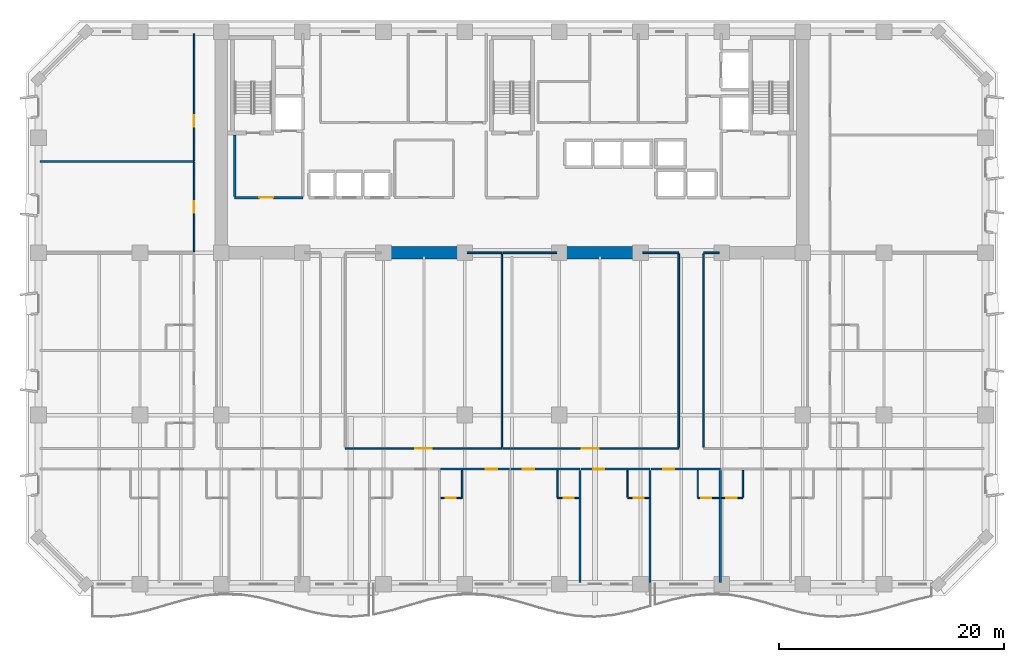
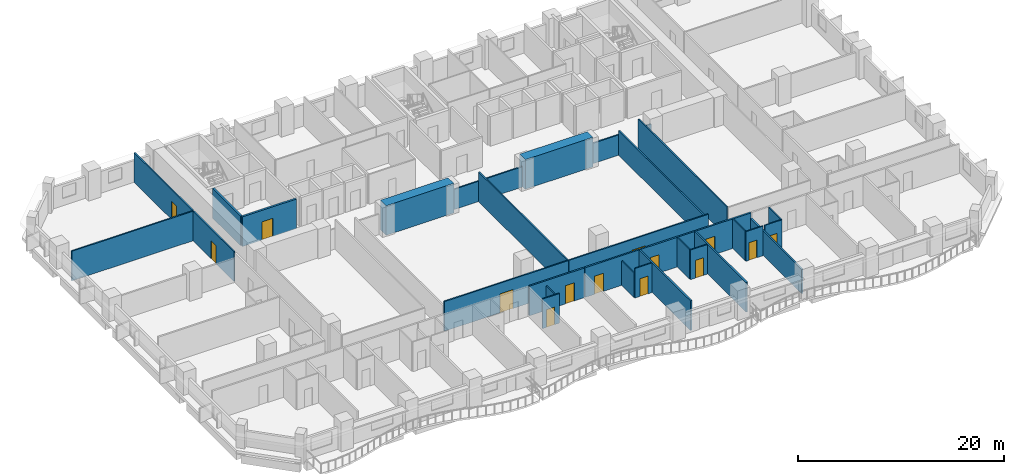
# One storey, part 6 of 15: 33 walls, 14 doors, 14 openings.
"""IFC4 building model written with IfcOpenShell, lengths in metres."""

from ifc_helpers import new_model, si_unit, direction, frame, frame_2d, origin, place, context, subcontext, project, spatial, rectangle, extrude, material, layer, layer_set, type_object, element, fill, save


model = new_model("IFC4")

# Units and contexts
model_context = context("Model", 3, precision=1e-05, world=origin(), true_north=direction((0.0, 1.0)))
body_context = subcontext(model_context, "Body", "Model", "MODEL_VIEW")
ifc_project = project(units=[si_unit("LENGTHUNIT", "METRE"), si_unit("AREAUNIT", "SQUARE_METRE"), si_unit("VOLUMEUNIT", "CUBIC_METRE"), si_unit("PLANEANGLEUNIT", "RADIAN"), si_unit("MASSUNIT", "GRAM", prefix="KILO")], contexts=[model_context])

# Site, building, storey
site_placement = place(None, origin())
site = spatial("IfcSite", under=ifc_project, at=site_placement, CompositionType="ELEMENT")
building_placement = place(site_placement, origin())
building = spatial("IfcBuilding", under=site, at=building_placement, Name="Kaelvorn Grand Hotel", CompositionType="ELEMENT")
storey_placement = place(building_placement, frame((0.0, 0.0, 38.89990234375)))
storey = spatial("IfcBuildingStorey", under=building, at=storey_placement, Name="L07", CompositionType="ELEMENT", Elevation=38.89990234375)

# Walls
ifc_material_1 = material(Name="Concrete C80/95", Category="concrete")
ifc_layer_1 = layer(ifc_material_1, 1.10009765625)
ifc_layer_set_1 = layer_set([ifc_layer_1], Name="Concrete C80/95")
wall_type_1 = type_object("IfcWallType", Name="WL-CORE-1100-C80", PredefinedType="SHEAR", material=ifc_layer_set_1)
for number, where, z_axis, x_axis, name in (
    (1, (30.39990234375, 29.39990234375, 0.0), (0.0, 0.0, 1.0), (1.0, 0.0, 0.0), "L07 Rear-Core Coupled Shear Pier S2"),
    (2, (46.0, 29.39990234375, 0.0), (0.0, 0.0, 1.0), (1.0, 0.0, 0.0), "L07 Rear-Core Coupled Shear Pier S3"),
):
    element("IfcWall", number, at=place(storey_placement, frame(where, z_axis=z_axis, x_axis=x_axis)), inside=storey, type_object=wall_type_1, Name=name, PredefinedType="SHEAR", context=body_context, shape_type="SweptSolid", body=[
        extrude(rectangle(XDim=7.60009765625, YDim=1.10009765625, at=frame_2d((3.800048828125, 0.0))), origin(), (0.0, 0.0, 1.0), 3.510009765625),
    ])

# Wall, opening, door
ifc_material_2 = material(Name="Moisture-Resistant Tile & Stud Board")
ifc_layer_2 = layer(ifc_material_2, 0.125)
ifc_layer_set_2 = layer_set([ifc_layer_2], Name="Moisture-Resistant Tile & Stud Board")
wall_type_2 = type_object("IfcWallType", Name="WL-PART-125-WET", PredefinedType="PARTITIONING", material=ifc_layer_set_2)
wall_1_placement = place(storey_placement, frame((35.669189453125, 7.64990234375, 0.0), z_axis=(0.0, 0.0, 1.0), x_axis=(1.0, 0.0, 0.0)))
wall_1 = element("IfcWall", 3, at=wall_1_placement, inside=storey, type_object=wall_type_2, Name="L07 En-suite Bathroom L07-06 S Partition", PredefinedType="PARTITIONING", context=body_context, shape_type="SweptSolid", body=[
    extrude(rectangle(XDim=1.905029296875, YDim=0.125, at=frame_2d((0.95263671875, 0.0))), origin(), (0.0, 0.0, 1.0), 3.510009765625),
])
opening_1_placement = place(wall_1_placement, frame((0.455078125, 0.0, 0.0)))
opening_1 = element("IfcOpeningElement", 4, at=opening_1_placement, cuts=wall_1, Name="Opening DI4", PredefinedType="OPENING", context=body_context, shape_type="SweptSolid", body=[
    extrude(rectangle(XDim=0.89990234375, YDim=2.10009765625, at=frame_2d((0.449951171875, 1.050048828125))), frame((0.0, 0.072509765625, 0.0), z_axis=(0.0, -1.0, 0.0), x_axis=(1.0, 0.0, 0.0)), (0.0, 0.0, 1.0), 0.14501953125),
])
ifc_material_3 = material(Name="Timber Veneer Leaf", Category="wood")
door_type_1 = type_object("IfcDoorType", Name="DR-INT-BATH-900x2100", OperationType="NOTDEFINED", PredefinedType="DOOR", material=ifc_material_3)
door_1_placement = place(opening_1_placement, origin())
door_1 = element("IfcDoor", 5, at=door_1_placement, inside=storey, type_object=door_type_1, Name="L07 En-suite Bathroom L07-06 Door", OperationType="SINGLE_SWING_RIGHT", OverallHeight=2.10009765625, OverallWidth=0.89990234375, PredefinedType="DOOR", context=body_context, shape_type="SweptSolid", body=[
    extrude(rectangle(XDim=0.89990234375, YDim=2.10009765625, at=frame_2d((0.449951171875, 1.050048828125))), frame((0.0, 0.02490234375, 0.0), z_axis=(0.0, -1.0, 0.0), x_axis=(1.0, 0.0, 0.0)), (0.0, 0.0, 1.0), 0.050048828125),
])
fill(opening_1, door_1)

# Wall
wall_2_placement = place(storey_placement, frame((37.57421875, 7.717529296875, 0.0), z_axis=(0.0, 0.0, 1.0), x_axis=(0.0, 1.0, 0.0)))
element("IfcWall", 6, at=wall_2_placement, inside=storey, type_object=wall_type_2, Name="L07 En-suite Bathroom L07-06 E Partition", PredefinedType="PARTITIONING", context=body_context, shape_type="SweptSolid", body=[
    extrude(rectangle(XDim=2.387451171875, YDim=0.125, at=frame_2d((1.19384765625, 0.0))), origin(), (0.0, 0.0, 1.0), 2.89794921875),
])

# Wall, opening, door
wall_3_placement = place(storey_placement, frame((46.024169921875, 7.64990234375, 0.0), z_axis=(0.0, 0.0, 1.0), x_axis=(1.0, 0.0, 0.0)))
wall_3 = element("IfcWall", 7, at=wall_3_placement, inside=storey, type_object=wall_type_2, Name="L07 En-suite Bathroom L07-07 S Partition", PredefinedType="PARTITIONING", context=body_context, shape_type="SweptSolid", body=[
    extrude(rectangle(XDim=1.905029296875, YDim=0.125, at=frame_2d((0.95263671875, 0.0))), origin(), (0.0, 0.0, 1.0), 3.510009765625),
])
opening_2_placement = place(wall_3_placement, frame((0.550048828125, 0.0, 0.0)))
opening_2 = element("IfcOpeningElement", 8, at=opening_2_placement, cuts=wall_3, Name="Opening DI4", PredefinedType="OPENING", context=body_context, shape_type="SweptSolid", body=[
    extrude(rectangle(XDim=0.89990234375, YDim=2.10009765625, at=frame_2d((0.449951171875, 1.050048828125))), frame((0.0, 0.072509765625, 0.0), z_axis=(0.0, -1.0, 0.0), x_axis=(1.0, 0.0, 0.0)), (0.0, 0.0, 1.0), 0.14501953125),
])
door_2_placement = place(opening_2_placement, origin())
door_2 = element("IfcDoor", 9, at=door_2_placement, inside=storey, type_object=door_type_1, Name="L07 En-suite Bathroom L07-07 Door", OperationType="SINGLE_SWING_RIGHT", OverallHeight=2.10009765625, OverallWidth=0.89990234375, PredefinedType="DOOR", context=body_context, shape_type="SweptSolid", body=[
    extrude(rectangle(XDim=0.89990234375, YDim=2.10009765625, at=frame_2d((0.449951171875, 1.050048828125))), frame((0.0, 0.02490234375, 0.0), z_axis=(0.0, -1.0, 0.0), x_axis=(1.0, 0.0, 0.0)), (0.0, 0.0, 1.0), 0.050048828125),
])
fill(opening_2, door_2)

# Wall
wall_4_placement = place(storey_placement, frame((46.024169921875, 7.717529296875, 0.0), z_axis=(0.0, 0.0, 1.0), x_axis=(0.0, 1.0, 0.0)))
element("IfcWall", 10, at=wall_4_placement, inside=storey, type_object=wall_type_2, Name="L07 En-suite Bathroom L07-07 W Partition", PredefinedType="PARTITIONING", context=body_context, shape_type="SweptSolid", body=[
    extrude(rectangle(XDim=2.387451171875, YDim=0.125, at=frame_2d((1.19384765625, 0.0))), origin(), (0.0, 0.0, 1.0), 2.89794921875),
])

# Wall, opening, door
wall_5_placement = place(storey_placement, frame((52.248779296875, 7.64990234375, 0.0), z_axis=(0.0, 0.0, 1.0), x_axis=(1.0, 0.0, 0.0)))
wall_5 = element("IfcWall", 11, at=wall_5_placement, inside=storey, type_object=wall_type_2, Name="L07 En-suite Bathroom L07-08 S Partition", PredefinedType="PARTITIONING", context=body_context, shape_type="SweptSolid", body=[
    extrude(rectangle(XDim=1.905029296875, YDim=0.125, at=frame_2d((0.95263671875, 0.0))), origin(), (0.0, 0.0, 1.0), 3.510009765625),
])
opening_3_placement = place(wall_5_placement, frame((0.550048828125, 0.0, 0.0)))
opening_3 = element("IfcOpeningElement", 12, at=opening_3_placement, cuts=wall_5, Name="Opening DI4", PredefinedType="OPENING", context=body_context, shape_type="SweptSolid", body=[
    extrude(rectangle(XDim=0.89990234375, YDim=2.10009765625, at=frame_2d((0.449951171875, 1.050048828125))), frame((0.0, 0.072509765625, 0.0), z_axis=(0.0, -1.0, 0.0), x_axis=(1.0, 0.0, 0.0)), (0.0, 0.0, 1.0), 0.14501953125),
])
door_3_placement = place(opening_3_placement, origin())
door_3 = element("IfcDoor", 13, at=door_3_placement, inside=storey, type_object=door_type_1, Name="L07 En-suite Bathroom L07-08 Door", OperationType="SINGLE_SWING_RIGHT", OverallHeight=2.10009765625, OverallWidth=0.89990234375, PredefinedType="DOOR", context=body_context, shape_type="SweptSolid", body=[
    extrude(rectangle(XDim=0.89990234375, YDim=2.10009765625, at=frame_2d((0.449951171875, 1.050048828125))), frame((0.0, 0.02490234375, 0.0), z_axis=(0.0, -1.0, 0.0), x_axis=(1.0, 0.0, 0.0)), (0.0, 0.0, 1.0), 0.050048828125),
])
fill(opening_3, door_3)

# Wall
wall_6_placement = place(storey_placement, frame((52.248779296875, 7.717529296875, 0.0), z_axis=(0.0, 0.0, 1.0), x_axis=(0.0, 1.0, 0.0)))
element("IfcWall", 14, at=wall_6_placement, inside=storey, type_object=wall_type_2, Name="L07 En-suite Bathroom L07-08 W Partition", PredefinedType="PARTITIONING", context=body_context, shape_type="SweptSolid", body=[
    extrude(rectangle(XDim=2.387451171875, YDim=0.125, at=frame_2d((1.19384765625, 0.0))), origin(), (0.0, 0.0, 1.0), 3.510009765625),
])

# Wall, opening, door
wall_7_placement = place(storey_placement, frame((58.473876953125, 7.64990234375, 0.0), z_axis=(0.0, 0.0, 1.0), x_axis=(1.0, 0.0, 0.0)))
wall_7 = element("IfcWall", 15, at=wall_7_placement, inside=storey, type_object=wall_type_2, Name="L07 En-suite Bathroom L07-09 S Partition", PredefinedType="PARTITIONING", context=body_context, shape_type="SweptSolid", body=[
    extrude(rectangle(XDim=1.905029296875, YDim=0.125, at=frame_2d((0.95263671875, 0.0))), origin(), (0.0, 0.0, 1.0), 3.510009765625),
])
opening_4_placement = place(wall_7_placement, frame((0.300048828125, 0.0, 0.0)))
opening_4 = element("IfcOpeningElement", 16, at=opening_4_placement, cuts=wall_7, Name="Opening DI4", PredefinedType="OPENING", context=body_context, shape_type="SweptSolid", body=[
    extrude(rectangle(XDim=0.89990234375, YDim=2.10009765625, at=frame_2d((0.449951171875, 1.050048828125))), frame((0.0, 0.072509765625, 0.0), z_axis=(0.0, -1.0, 0.0), x_axis=(1.0, 0.0, 0.0)), (0.0, 0.0, 1.0), 0.14501953125),
])
door_4_placement = place(opening_4_placement, origin())
door_4 = element("IfcDoor", 17, at=door_4_placement, inside=storey, type_object=door_type_1, Name="L07 En-suite Bathroom L07-09 Door", OperationType="SINGLE_SWING_RIGHT", OverallHeight=2.10009765625, OverallWidth=0.89990234375, PredefinedType="DOOR", context=body_context, shape_type="SweptSolid", body=[
    extrude(rectangle(XDim=0.89990234375, YDim=2.10009765625, at=frame_2d((0.449951171875, 1.050048828125))), frame((0.0, 0.02490234375, 0.0), z_axis=(0.0, -1.0, 0.0), x_axis=(1.0, 0.0, 0.0)), (0.0, 0.0, 1.0), 0.050048828125),
])
fill(opening_4, door_4)

# Wall
wall_8_placement = place(storey_placement, frame((58.473876953125, 7.717529296875, 0.0), z_axis=(0.0, 0.0, 1.0), x_axis=(0.0, 1.0, 0.0)))
element("IfcWall", 18, at=wall_8_placement, inside=storey, type_object=wall_type_2, Name="L07 En-suite Bathroom L07-09 W Partition", PredefinedType="PARTITIONING", context=body_context, shape_type="SweptSolid", body=[
    extrude(rectangle(XDim=2.387451171875, YDim=0.125, at=frame_2d((1.19384765625, 0.0))), origin(), (0.0, 0.0, 1.0), 3.510009765625),
])

# Wall, opening, door
wall_9_placement = place(storey_placement, frame((60.56884765625, 7.64990234375, 0.0), z_axis=(0.0, 0.0, 1.0), x_axis=(1.0, 0.0, 0.0)))
wall_9 = element("IfcWall", 19, at=wall_9_placement, inside=storey, type_object=wall_type_2, Name="L07 En-suite Bathroom L07-10 S Partition", PredefinedType="PARTITIONING", context=body_context, shape_type="SweptSolid", body=[
    extrude(rectangle(XDim=1.905029296875, YDim=0.125, at=frame_2d((0.95263671875, 0.0))), origin(), (0.0, 0.0, 1.0), 3.510009765625),
])
opening_5_placement = place(wall_9_placement, frame((0.455078125, 0.0, 0.0)))
opening_5 = element("IfcOpeningElement", 20, at=opening_5_placement, cuts=wall_9, Name="Opening DI4", PredefinedType="OPENING", context=body_context, shape_type="SweptSolid", body=[
    extrude(rectangle(XDim=0.89990234375, YDim=2.10009765625, at=frame_2d((0.449951171875, 1.050048828125))), frame((0.0, 0.072509765625, 0.0), z_axis=(0.0, -1.0, 0.0), x_axis=(1.0, 0.0, 0.0)), (0.0, 0.0, 1.0), 0.14501953125),
])
door_5_placement = place(opening_5_placement, origin())
door_5 = element("IfcDoor", 21, at=door_5_placement, inside=storey, type_object=door_type_1, Name="L07 En-suite Bathroom L07-10 Door", OperationType="SINGLE_SWING_RIGHT", OverallHeight=2.10009765625, OverallWidth=0.89990234375, PredefinedType="DOOR", context=body_context, shape_type="SweptSolid", body=[
    extrude(rectangle(XDim=0.89990234375, YDim=2.10009765625, at=frame_2d((0.449951171875, 1.050048828125))), frame((0.0, 0.02490234375, 0.0), z_axis=(0.0, -1.0, 0.0), x_axis=(1.0, 0.0, 0.0)), (0.0, 0.0, 1.0), 0.050048828125),
])
fill(opening_5, door_5)

# Wall
wall_10_placement = place(storey_placement, frame((62.473876953125, 7.717529296875, 0.0), z_axis=(0.0, 0.0, 1.0), x_axis=(0.0, 1.0, 0.0)))
element("IfcWall", 22, at=wall_10_placement, inside=storey, type_object=wall_type_2, Name="L07 En-suite Bathroom L07-10 E Partition", PredefinedType="PARTITIONING", context=body_context, shape_type="SweptSolid", body=[
    extrude(rectangle(XDim=2.387451171875, YDim=0.125, at=frame_2d((1.19384765625, 0.0))), origin(), (0.0, 0.0, 1.0), 3.510009765625),
])

# Wall, opening, door
ifc_material_4 = material(Name="Acoustic Gypsum & Stud Partition")
ifc_layer_3 = layer(ifc_material_4, 0.14990234375)
ifc_layer_set_3 = layer_set([ifc_layer_3], Name="Acoustic Gypsum & Stud Partition")
wall_type_3 = type_object("IfcWallType", Name="WL-PART-150-EI60", PredefinedType="PARTITIONING", material=ifc_layer_set_3)
wall_11_placement = place(storey_placement, frame((27.199951171875, 12.050048828125, 0.0), z_axis=(0.0, 0.0, 1.0), x_axis=(1.0, 0.0, 0.0)))
wall_11 = element("IfcWall", 23, at=wall_11_placement, inside=storey, type_object=wall_type_3, Name="L07 Hospitality Tea Kitchen S Partition", PredefinedType="PARTITIONING", context=body_context, shape_type="SweptSolid", body=[
    extrude(rectangle(XDim=13.900146484375, YDim=0.14990234375, at=frame_2d((6.9501953125, 0.0))), origin(), (0.0, 0.0, 1.0), 3.510009765625),
])
opening_6_placement = place(wall_11_placement, frame((6.199951171875, 0.0, 0.0)))
opening_6 = element("IfcOpeningElement", 24, at=opening_6_placement, cuts=wall_11, Name="Opening DI5", PredefinedType="OPENING", context=body_context, shape_type="SweptSolid", body=[
    extrude(rectangle(XDim=1.5, YDim=2.25, at=frame_2d((0.75, 1.125))), frame((0.0, 0.0849609375, 0.0), z_axis=(0.0, -1.0, 0.0), x_axis=(1.0, 0.0, 0.0)), (0.0, 0.0, 1.0), 0.169921875),
])
ifc_material_5 = material(Name="Timber Veneer Fire Leaf", Category="wood")
door_type_2 = type_object("IfcDoorType", Name="DR-INT-SALON-1500x2250", OperationType="DOUBLE_DOOR_SINGLE_SWING", PredefinedType="DOOR", material=ifc_material_5)
door_6_placement = place(opening_6_placement, origin())
door_6 = element("IfcDoor", 25, at=door_6_placement, inside=storey, type_object=door_type_2, Name="L07 Hospitality Tea Kitchen Door", OperationType="DOUBLE_DOOR_SINGLE_SWING", OverallHeight=2.25, OverallWidth=1.5, PredefinedType="DOOR", context=body_context, shape_type="SweptSolid", body=[
    extrude(rectangle(XDim=1.5, YDim=2.25, at=frame_2d((0.75, 1.125))), frame((0.0, 0.02490234375, 0.0), z_axis=(0.0, -1.0, 0.0), x_axis=(1.0, 0.0, 0.0)), (0.0, 0.0, 1.0), 0.050048828125),
])
fill(opening_6, door_6)

# Walls
wall_12_placement = place(storey_placement, frame((38.010009765625, 29.39990234375, 0.0), z_axis=(0.0, 0.0, 1.0), x_axis=(1.0, 0.0, 0.0)))
element("IfcWall", 26, at=wall_12_placement, inside=storey, type_object=wall_type_3, Name="L07 Hospitality Tea Kitchen N Partition (2)", PredefinedType="PARTITIONING", context=body_context, shape_type="SweptSolid", body=[
    extrude(rectangle(XDim=3.090087890625, YDim=0.14990234375, at=frame_2d((1.544921875, 0.0))), origin(), (0.0, 0.0, 1.0), 2.41015625),
])
wall_13_placement = place(storey_placement, frame((41.10009765625, 12.1298828125, 0.0), z_axis=(0.0, 0.0, 1.0), x_axis=(0.0, 1.0, 0.0)))
element("IfcWall", 27, at=wall_13_placement, inside=storey, type_object=wall_type_3, Name="L07 Hospitality Tea Kitchen E Partition", PredefinedType="PARTITIONING", context=body_context, shape_type="SweptSolid", body=[
    extrude(rectangle(XDim=17.190185546875, YDim=0.14990234375, at=frame_2d((8.59521484375, 0.0))), origin(), (0.0, 0.0, 1.0), 3.510009765625),
])

# Wall, opening, door
wall_14_placement = place(storey_placement, frame((41.179931640625, 12.050048828125, 0.0), z_axis=(0.0, 0.0, 1.0), x_axis=(1.0, 0.0, 0.0)))
wall_14 = element("IfcWall", 28, at=wall_14_placement, inside=storey, type_object=wall_type_3, Name="L07 Executive Study Office S Partition", PredefinedType="PARTITIONING", context=body_context, shape_type="SweptSolid", body=[
    extrude(rectangle(XDim=15.6201171875, YDim=0.14990234375, at=frame_2d((7.81005859375, 0.0))), origin(), (0.0, 0.0, 1.0), 3.510009765625),
])
opening_7_placement = place(wall_14_placement, frame((7.02001953125, 0.0, 0.0)))
opening_7 = element("IfcOpeningElement", 29, at=opening_7_placement, cuts=wall_14, Name="Opening DI5", PredefinedType="OPENING", context=body_context, shape_type="SweptSolid", body=[
    extrude(rectangle(XDim=1.5, YDim=2.25, at=frame_2d((0.75, 1.125))), frame((0.0, 0.0849609375, 0.0), z_axis=(0.0, -1.0, 0.0), x_axis=(1.0, 0.0, 0.0)), (0.0, 0.0, 1.0), 0.169921875),
])
door_7_placement = place(opening_7_placement, origin())
door_7 = element("IfcDoor", 30, at=door_7_placement, inside=storey, type_object=door_type_2, Name="L07 Executive Study Office Door", OperationType="DOUBLE_DOOR_SINGLE_SWING", OverallHeight=2.25, OverallWidth=1.5, PredefinedType="DOOR", context=body_context, shape_type="SweptSolid", body=[
    extrude(rectangle(XDim=1.5, YDim=2.25, at=frame_2d((0.75, 1.125))), frame((0.0, 0.02490234375, 0.0), z_axis=(0.0, -1.0, 0.0), x_axis=(1.0, 0.0, 0.0)), (0.0, 0.0, 1.0), 0.050048828125),
])
fill(opening_7, door_7)

# Walls
wall_15_placement = place(storey_placement, frame((41.179931640625, 29.39990234375, 0.0), z_axis=(0.0, 0.0, 1.0), x_axis=(1.0, 0.0, 0.0)))
element("IfcWall", 31, at=wall_15_placement, inside=storey, type_object=wall_type_3, Name="L07 Executive Study Office N Partition (1)", PredefinedType="PARTITIONING", context=body_context, shape_type="SweptSolid", body=[
    extrude(rectangle(XDim=4.81005859375, YDim=0.14990234375, at=frame_2d((2.405029296875, 0.0))), origin(), (0.0, 0.0, 1.0), 2.41015625),
])
wall_16_placement = place(storey_placement, frame((53.610107421875, 29.39990234375, 0.0), z_axis=(0.0, 0.0, 1.0), x_axis=(1.0, 0.0, 0.0)))
element("IfcWall", 32, at=wall_16_placement, inside=storey, type_object=wall_type_3, Name="L07 Executive Study Office N Partition (2)", PredefinedType="PARTITIONING", context=body_context, shape_type="SweptSolid", body=[
    extrude(rectangle(XDim=3.18994140625, YDim=0.14990234375, at=frame_2d((1.594970703125, 0.0))), origin(), (0.0, 0.0, 1.0), 2.41015625),
])
wall_17_placement = place(storey_placement, frame((56.800048828125, 12.1298828125, 0.0), z_axis=(0.0, 0.0, 1.0), x_axis=(0.0, 1.0, 0.0)))
element("IfcWall", 33, at=wall_17_placement, inside=storey, type_object=wall_type_3, Name="L07 Executive Study Office E Partition", PredefinedType="PARTITIONING", context=body_context, shape_type="SweptSolid", body=[
    extrude(rectangle(XDim=17.190185546875, YDim=0.14990234375, at=frame_2d((8.59521484375, 0.0))), origin(), (0.0, 0.0, 1.0), 2.89794921875),
])
wall_18_placement = place(storey_placement, frame((59.0, 29.39990234375, 0.0), z_axis=(0.0, 0.0, 1.0), x_axis=(1.0, 0.0, 0.0)))
element("IfcWall", 34, at=wall_18_placement, inside=storey, type_object=wall_type_3, Name="L07 Wellness Fitness Gym N Partition", PredefinedType="PARTITIONING", context=body_context, shape_type="SweptSolid", body=[
    extrude(rectangle(XDim=1.389892578125, YDim=0.14990234375, at=frame_2d((0.69482421875, 0.0))), origin(), (0.0, 0.0, 1.0), 2.41015625),
])
wall_19_placement = place(storey_placement, frame((59.0, 12.1298828125, 0.0), z_axis=(0.0, 0.0, 1.0), x_axis=(0.0, 1.0, 0.0)))
element("IfcWall", 35, at=wall_19_placement, inside=storey, type_object=wall_type_3, Name="L07 Wellness Fitness Gym W Partition", PredefinedType="PARTITIONING", context=body_context, shape_type="SweptSolid", body=[
    extrude(rectangle(XDim=17.190185546875, YDim=0.14990234375, at=frame_2d((8.59521484375, 0.0))), origin(), (0.0, 0.0, 1.0), 3.510009765625),
])
wall_20_placement = place(storey_placement, frame((0.14990234375, 37.5, 0.0), z_axis=(0.0, 0.0, 1.0), x_axis=(1.0, 0.0, 0.0)))
element("IfcWall", 36, at=wall_20_placement, inside=storey, type_object=wall_type_3, Name="L07 North-West Private Dining Restaurant N Partition", PredefinedType="PARTITIONING", context=body_context, shape_type="SweptSolid", body=[
    extrude(rectangle(XDim=13.650146484375, YDim=0.14990234375, at=frame_2d((6.8251953125, 0.0))), origin(), (0.0, 0.0, 1.0), 3.510009765625),
])

# Wall, opening, door
wall_21_placement = place(storey_placement, frame((13.800048828125, 29.4951171875, 0.0), z_axis=(0.0, 0.0, 1.0), x_axis=(0.0, 1.0, 0.0)))
wall_21 = element("IfcWall", 37, at=wall_21_placement, inside=storey, type_object=wall_type_3, Name="L07 North-West Private Dining Restaurant E Partition", PredefinedType="PARTITIONING", context=body_context, shape_type="SweptSolid", body=[
    extrude(rectangle(XDim=7.9248046875, YDim=0.14990234375, at=frame_2d((3.96240234375, 0.0))), origin(), (0.0, 0.0, 1.0), 3.510009765625),
])
opening_8_placement = place(wall_21_placement, frame((3.455078125, 0.0, 0.0)))
opening_8 = element("IfcOpeningElement", 38, at=opening_8_placement, cuts=wall_21, Name="Opening DI3", PredefinedType="OPENING", context=body_context, shape_type="SweptSolid", body=[
    extrude(rectangle(XDim=1.0, YDim=2.14990234375, at=frame_2d((0.5, 1.074951171875))), frame((0.0, 0.0849609375, 0.0), z_axis=(0.0, -1.0, 0.0), x_axis=(1.0, 0.0, 0.0)), (0.0, 0.0, 1.0), 0.169921875),
])
door_type_3 = type_object("IfcDoorType", Name="DR-INT-GUEST-1000x2150", OperationType="NOTDEFINED", PredefinedType="DOOR", material=ifc_material_5)
door_8_placement = place(opening_8_placement, origin())
door_8 = element("IfcDoor", 39, at=door_8_placement, inside=storey, type_object=door_type_3, Name="L07 North-West Private Dining Restaurant Door", OperationType="SINGLE_SWING_LEFT", OverallHeight=2.14990234375, OverallWidth=1.0, PredefinedType="DOOR", context=body_context, shape_type="SweptSolid", body=[
    extrude(rectangle(XDim=1.0, YDim=2.14990234375, at=frame_2d((0.5, 1.074951171875))), frame((0.0, 0.02490234375, 0.0), z_axis=(0.0, -1.0, 0.0), x_axis=(1.0, 0.0, 0.0)), (0.0, 0.0, 1.0), 0.050048828125),
])
fill(opening_8, door_8)

wall_22_placement = place(storey_placement, frame((13.800048828125, 37.580078125, 0.0), z_axis=(0.0, 0.0, 1.0), x_axis=(0.0, 1.0, 0.0)))
wall_22 = element("IfcWall", 40, at=wall_22_placement, inside=storey, type_object=wall_type_3, Name="L07 North-West Hospitality Tea Kitchen E Partition", PredefinedType="PARTITIONING", context=body_context, shape_type="SweptSolid", body=[
    extrude(rectangle(XDim=11.27001953125, YDim=0.14990234375, at=frame_2d((5.635009765625, 0.0))), origin(), (0.0, 0.0, 1.0), 3.510009765625),
])
opening_9_placement = place(wall_22_placement, frame((3.02001953125, 0.0, 0.0)))
opening_9 = element("IfcOpeningElement", 41, at=opening_9_placement, cuts=wall_22, Name="Opening DI3", PredefinedType="OPENING", context=body_context, shape_type="SweptSolid", body=[
    extrude(rectangle(XDim=1.0, YDim=2.14990234375, at=frame_2d((0.5, 1.074951171875))), frame((0.0, 0.0849609375, 0.0), z_axis=(0.0, -1.0, 0.0), x_axis=(1.0, 0.0, 0.0)), (0.0, 0.0, 1.0), 0.169921875),
])
door_9_placement = place(opening_9_placement, origin())
door_9 = element("IfcDoor", 42, at=door_9_placement, inside=storey, type_object=door_type_3, Name="L07 North-West Hospitality Tea Kitchen Door", OperationType="SINGLE_SWING_RIGHT", OverallHeight=2.14990234375, OverallWidth=1.0, PredefinedType="DOOR", context=body_context, shape_type="SweptSolid", body=[
    extrude(rectangle(XDim=1.0, YDim=2.14990234375, at=frame_2d((0.5, 1.074951171875))), frame((0.0, 0.02490234375, 0.0), z_axis=(0.0, -1.0, 0.0), x_axis=(1.0, 0.0, 0.0)), (0.0, 0.0, 1.0), 0.050048828125),
])
fill(opening_9, door_9)

ifc_layer_4 = layer(ifc_material_4, 0.179931640625)
ifc_layer_set_4 = layer_set([ifc_layer_4], Name="Acoustic Gypsum & Stud Partition")
wall_type_4 = type_object("IfcWallType", Name="WL-PART-180-EI60", PredefinedType="PARTITIONING", material=ifc_layer_set_4)
wall_23_placement = place(storey_placement, frame((35.669189453125, 10.199951171875, 0.0), z_axis=(0.0, 0.0, 1.0), x_axis=(1.0, 0.0, 0.0)))
wall_23 = element("IfcWall", 43, at=wall_23_placement, inside=storey, type_object=wall_type_4, Name="L07 Deluxe King Guest Room L07-06 N Partition", PredefinedType="PARTITIONING", context=body_context, shape_type="SweptSolid", body=[
    extrude(rectangle(XDim=6.130126953125, YDim=0.179931640625, at=frame_2d((3.06494140625, 0.0))), origin(), (0.0, 0.0, 1.0), 3.510009765625),
])
opening_10_placement = place(wall_23_placement, frame((4.020263671875, 0.0, 0.0)))
opening_10 = element("IfcOpeningElement", 44, at=opening_10_placement, cuts=wall_23, Name="Opening DI3", PredefinedType="OPENING", context=body_context, shape_type="SweptSolid", body=[
    extrude(rectangle(XDim=1.0, YDim=2.14990234375, at=frame_2d((0.5, 1.074951171875))), frame((0.0, 0.10009765625, 0.0), z_axis=(0.0, -1.0, 0.0), x_axis=(1.0, 0.0, 0.0)), (0.0, 0.0, 1.0), 0.199951171875),
])
door_10_placement = place(opening_10_placement, origin())
door_10 = element("IfcDoor", 45, at=door_10_placement, inside=storey, type_object=door_type_3, Name="L07 Deluxe King Guest Room L07-06 Door", OperationType="SINGLE_SWING_LEFT", OverallHeight=2.14990234375, OverallWidth=1.0, PredefinedType="DOOR", context=body_context, shape_type="SweptSolid", body=[
    extrude(rectangle(XDim=1.0, YDim=2.14990234375, at=frame_2d((0.5, 1.074951171875))), frame((0.0, 0.02490234375, 0.0), z_axis=(0.0, -1.0, 0.0), x_axis=(1.0, 0.0, 0.0)), (0.0, 0.0, 1.0), 0.050048828125),
])
fill(opening_10, door_10)

wall_24_placement = place(storey_placement, frame((41.894287109375, 10.199951171875, 0.0), z_axis=(0.0, 0.0, 1.0), x_axis=(1.0, 0.0, 0.0)))
wall_24 = element("IfcWall", 46, at=wall_24_placement, inside=storey, type_object=wall_type_4, Name="L07 Deluxe Panoramic Suite L07-07 N Partition", PredefinedType="PARTITIONING", context=body_context, shape_type="SweptSolid", body=[
    extrude(rectangle(XDim=6.1298828125, YDim=0.179931640625, at=frame_2d((3.06494140625, 0.0))), origin(), (0.0, 0.0, 1.0), 3.510009765625),
])
opening_11_placement = place(wall_24_placement, frame((1.0673828125, 0.0, 0.0)))
opening_11 = element("IfcOpeningElement", 47, at=opening_11_placement, cuts=wall_24, Name="Opening DI3", PredefinedType="OPENING", context=body_context, shape_type="SweptSolid", body=[
    extrude(rectangle(XDim=1.0, YDim=2.14990234375, at=frame_2d((0.5, 1.074951171875))), frame((0.0, 0.10009765625, 0.0), z_axis=(0.0, -1.0, 0.0), x_axis=(1.0, 0.0, 0.0)), (0.0, 0.0, 1.0), 0.199951171875),
])
door_11_placement = place(opening_11_placement, origin())
door_11 = element("IfcDoor", 48, at=door_11_placement, inside=storey, type_object=door_type_3, Name="L07 Deluxe Panoramic Suite L07-07 Door", OperationType="SINGLE_SWING_LEFT", OverallHeight=2.14990234375, OverallWidth=1.0, PredefinedType="DOOR", context=body_context, shape_type="SweptSolid", body=[
    extrude(rectangle(XDim=1.0, YDim=2.14990234375, at=frame_2d((0.5, 1.074951171875))), frame((0.0, 0.02490234375, 0.0), z_axis=(0.0, -1.0, 0.0), x_axis=(1.0, 0.0, 0.0)), (0.0, 0.0, 1.0), 0.050048828125),
])
fill(opening_11, door_11)

# Wall
wall_25_placement = place(storey_placement, frame((48.024169921875, 0.14990234375, 0.0), z_axis=(0.0, 0.0, 1.0), x_axis=(0.0, 1.0, 0.0)))
element("IfcWall", 49, at=wall_25_placement, inside=storey, type_object=wall_type_4, Name="L07 Deluxe Panoramic Suite L07-07 E Partition", PredefinedType="PARTITIONING", context=body_context, shape_type="SweptSolid", body=[
    extrude(rectangle(XDim=9.955078125, YDim=0.179931640625, at=frame_2d((4.9775390625, 0.0))), origin(), (0.0, 0.0, 1.0), 3.510009765625),
])

# Wall, opening, door
wall_26_placement = place(storey_placement, frame((48.119140625, 10.199951171875, 0.0), z_axis=(0.0, 0.0, 1.0), x_axis=(1.0, 0.0, 0.0)))
wall_26 = element("IfcWall", 50, at=wall_26_placement, inside=storey, type_object=wall_type_4, Name="L07 Deluxe King Guest Room L07-08 N Partition", PredefinedType="PARTITIONING", context=body_context, shape_type="SweptSolid", body=[
    extrude(rectangle(XDim=6.129638671875, YDim=0.179931640625, at=frame_2d((3.06494140625, 0.0))), origin(), (0.0, 0.0, 1.0), 3.510009765625),
])
opening_12_placement = place(wall_26_placement, frame((1.0673828125, 0.0, 0.0)))
opening_12 = element("IfcOpeningElement", 51, at=opening_12_placement, cuts=wall_26, Name="Opening DI3", PredefinedType="OPENING", context=body_context, shape_type="SweptSolid", body=[
    extrude(rectangle(XDim=1.0, YDim=2.14990234375, at=frame_2d((0.5, 1.074951171875))), frame((0.0, 0.10009765625, 0.0), z_axis=(0.0, -1.0, 0.0), x_axis=(1.0, 0.0, 0.0)), (0.0, 0.0, 1.0), 0.199951171875),
])
door_12_placement = place(opening_12_placement, origin())
door_12 = element("IfcDoor", 52, at=door_12_placement, inside=storey, type_object=door_type_3, Name="L07 Deluxe King Guest Room L07-08 Door", OperationType="SINGLE_SWING_LEFT", OverallHeight=2.14990234375, OverallWidth=1.0, PredefinedType="DOOR", context=body_context, shape_type="SweptSolid", body=[
    extrude(rectangle(XDim=1.0, YDim=2.14990234375, at=frame_2d((0.5, 1.074951171875))), frame((0.0, 0.02490234375, 0.0), z_axis=(0.0, -1.0, 0.0), x_axis=(1.0, 0.0, 0.0)), (0.0, 0.0, 1.0), 0.050048828125),
])
fill(opening_12, door_12)

# Wall
wall_27_placement = place(storey_placement, frame((54.248779296875, 0.14990234375, 0.0), z_axis=(0.0, 0.0, 1.0), x_axis=(0.0, 1.0, 0.0)))
element("IfcWall", 53, at=wall_27_placement, inside=storey, type_object=wall_type_4, Name="L07 Deluxe King Guest Room L07-08 E Partition", PredefinedType="PARTITIONING", context=body_context, shape_type="SweptSolid", body=[
    extrude(rectangle(XDim=9.955078125, YDim=0.179931640625, at=frame_2d((4.9775390625, 0.0))), origin(), (0.0, 0.0, 1.0), 3.510009765625),
])

# Wall, opening, door
wall_28_placement = place(storey_placement, frame((54.343994140625, 10.199951171875, 0.0), z_axis=(0.0, 0.0, 1.0), x_axis=(1.0, 0.0, 0.0)))
wall_28 = element("IfcWall", 54, at=wall_28_placement, inside=storey, type_object=wall_type_4, Name="L07 Deluxe Panoramic Suite L07-09 N Partition", PredefinedType="PARTITIONING", context=body_context, shape_type="SweptSolid", body=[
    extrude(rectangle(XDim=6.1298828125, YDim=0.179931640625, at=frame_2d((3.06494140625, 0.0))), origin(), (0.0, 0.0, 1.0), 3.510009765625),
])
opening_13_placement = place(wall_28_placement, frame((1.0673828125, 0.0, 0.0)))
opening_13 = element("IfcOpeningElement", 55, at=opening_13_placement, cuts=wall_28, Name="Opening DI3", PredefinedType="OPENING", context=body_context, shape_type="SweptSolid", body=[
    extrude(rectangle(XDim=1.0, YDim=2.14990234375, at=frame_2d((0.5, 1.074951171875))), frame((0.0, 0.10009765625, 0.0), z_axis=(0.0, -1.0, 0.0), x_axis=(1.0, 0.0, 0.0)), (0.0, 0.0, 1.0), 0.199951171875),
])
door_13_placement = place(opening_13_placement, origin())
door_13 = element("IfcDoor", 56, at=door_13_placement, inside=storey, type_object=door_type_3, Name="L07 Deluxe Panoramic Suite L07-09 Door", OperationType="SINGLE_SWING_LEFT", OverallHeight=2.14990234375, OverallWidth=1.0, PredefinedType="DOOR", context=body_context, shape_type="SweptSolid", body=[
    extrude(rectangle(XDim=1.0, YDim=2.14990234375, at=frame_2d((0.5, 1.074951171875))), frame((0.0, 0.02490234375, 0.0), z_axis=(0.0, -1.0, 0.0), x_axis=(1.0, 0.0, 0.0)), (0.0, 0.0, 1.0), 0.050048828125),
])
fill(opening_13, door_13)

# Wall
wall_29_placement = place(storey_placement, frame((60.473876953125, 0.14990234375, 0.0), z_axis=(0.0, 0.0, 1.0), x_axis=(0.0, 1.0, 0.0)))
element("IfcWall", 57, at=wall_29_placement, inside=storey, type_object=wall_type_4, Name="L07 Deluxe Panoramic Suite L07-09 E Partition", PredefinedType="PARTITIONING", context=body_context, shape_type="SweptSolid", body=[
    extrude(rectangle(XDim=9.955078125, YDim=0.179931640625, at=frame_2d((4.9775390625, 0.0))), origin(), (0.0, 0.0, 1.0), 2.89794921875),
])

# Wall, opening, door
ifc_material_6 = material(Name="Concrete C40/50", Category="concrete")
ifc_layer_5 = layer(ifc_material_6, 0.219970703125)
ifc_layer_set_5 = layer_set([ifc_layer_5], Name="Concrete C40/50")
wall_type_5 = type_object("IfcWallType", Name="WL-PART-220-EI120", PredefinedType="PARTITIONING", material=ifc_layer_set_5)
wall_30_placement = place(storey_placement, frame((17.39990234375, 34.300048828125, 0.0), z_axis=(0.0, 0.0, 1.0), x_axis=(1.0, 0.0, 0.0)))
wall_30 = element("IfcWall", 58, at=wall_30_placement, inside=storey, type_object=wall_type_5, Name="L07 Firefighting Lift Lobby 1 S Partition", PredefinedType="PARTITIONING", context=body_context, shape_type="SweptSolid", body=[
    extrude(rectangle(XDim=6.050048828125, YDim=0.219970703125, at=frame_2d((3.02490234375, 0.0))), origin(), (0.0, 0.0, 1.0), 3.510009765625),
])
opening_14_placement = place(wall_30_placement, frame((2.199951171875, 0.0, 0.0)))
opening_14 = element("IfcOpeningElement", 59, at=opening_14_placement, cuts=wall_30, Name="Opening DI2", PredefinedType="OPENING", context=body_context, shape_type="SweptSolid", body=[
    extrude(rectangle(XDim=1.199951171875, YDim=2.14990234375, at=frame_2d((0.60009765625, 1.074951171875))), frame((0.0, 0.1201171875, 0.0), z_axis=(0.0, -1.0, 0.0), x_axis=(1.0, 0.0, 0.0)), (0.0, 0.0, 1.0), 0.239990234375),
])
door_type_4 = type_object("IfcDoorType", Name="DR-INT-FFLOB-1200x2150", OperationType="NOTDEFINED", PredefinedType="DOOR", material=ifc_material_5)
door_14_placement = place(opening_14_placement, origin())
door_14 = element("IfcDoor", 60, at=door_14_placement, inside=storey, type_object=door_type_4, Name="L07 Firefighting Lift Lobby 1 Door", OperationType="SINGLE_SWING_RIGHT", OverallHeight=2.14990234375, OverallWidth=1.199951171875, PredefinedType="DOOR", context=body_context, shape_type="SweptSolid", body=[
    extrude(rectangle(XDim=1.199951171875, YDim=2.14990234375, at=frame_2d((0.60009765625, 1.074951171875))), frame((0.0, 0.02490234375, 0.0), z_axis=(0.0, -1.0, 0.0), x_axis=(1.0, 0.0, 0.0)), (0.0, 0.0, 1.0), 0.050048828125),
])
fill(opening_14, door_14)

# Wall
wall_31_placement = place(storey_placement, frame((17.39990234375, 34.4150390625, 0.0), z_axis=(0.0, 0.0, 1.0), x_axis=(0.0, 1.0, 0.0)))
element("IfcWall", 61, at=wall_31_placement, inside=storey, type_object=wall_type_5, Name="L07 Firefighting Lift Lobby 1 W Partition", PredefinedType="PARTITIONING", context=body_context, shape_type="SweptSolid", body=[
    extrude(rectangle(XDim=5.429931640625, YDim=0.219970703125, at=frame_2d((2.71484375, 0.0))), origin(), (0.0, 0.0, 1.0), 3.510009765625),
])

save(model, "model.ifc")
